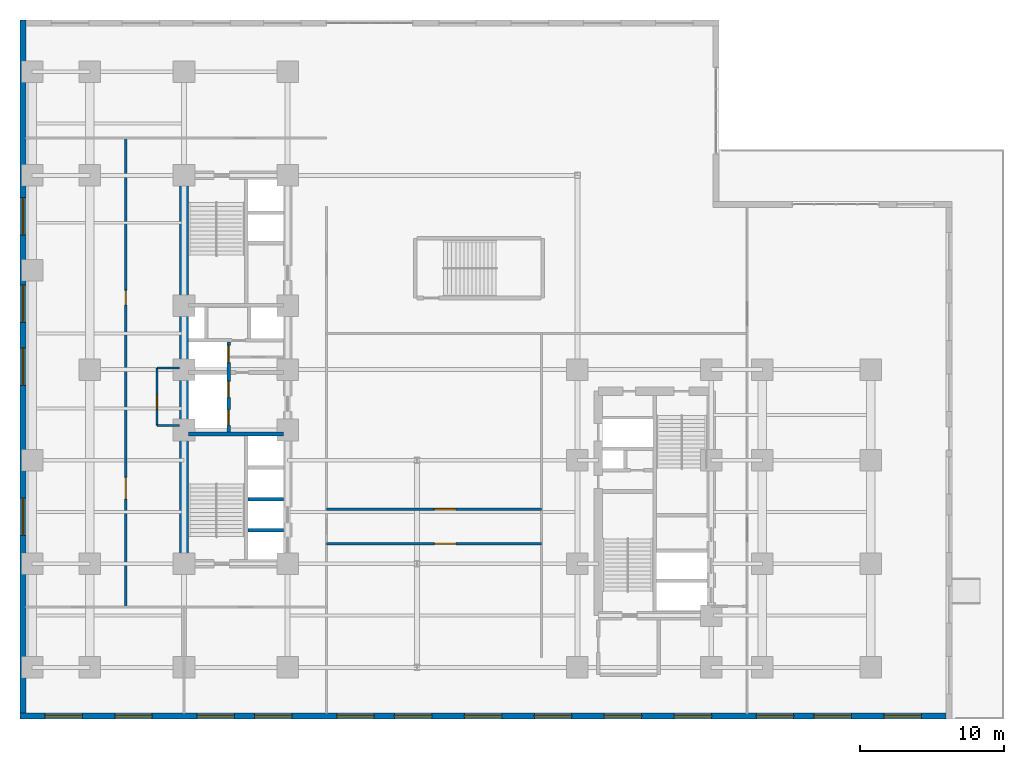
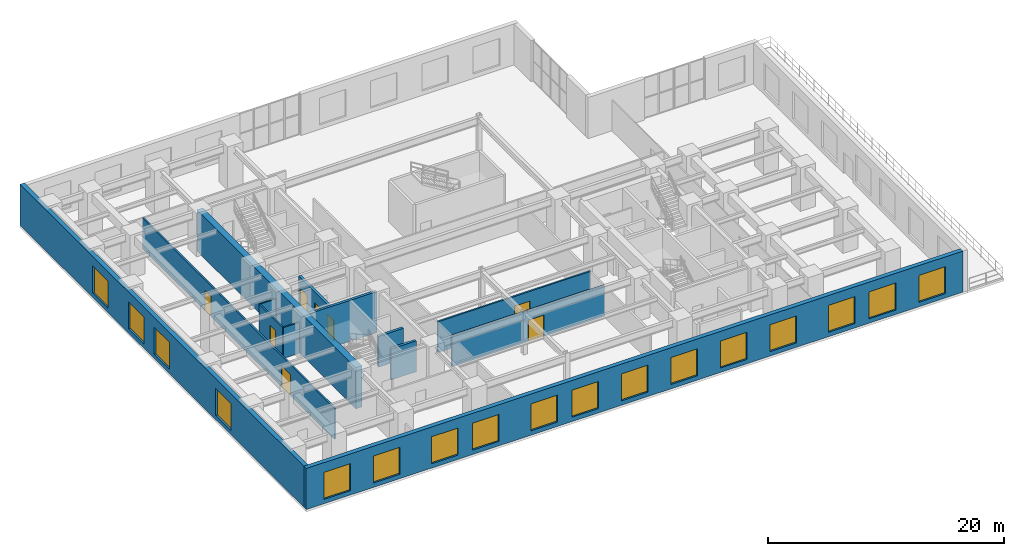
# One storey, part 8 of 15: 17 windows, 13 walls, 8 doors, 25 openings.
"""IFC4 building model written with IfcOpenShell, lengths in metres."""

from ifc_helpers import new_model, entity, si_unit, converted_unit, direction, frame, origin_with_axes, origin_2d_with_axis, place, context, subcontext, project, spatial, polyline, rectangle, outline, extrude, material, layer, layer_set, type_object, element, fill, save


model = new_model("IFC4")

# Units and contexts
model_context = context("Model", 3, precision=1e-05, world=origin_with_axes(), true_north=direction((0.0, 1.0)))
body_context = subcontext(model_context, "Body", "Model", "MODEL_VIEW")
ifc_project = project(units=[si_unit("LENGTHUNIT", "METRE"), si_unit("AREAUNIT", "SQUARE_METRE"), si_unit("VOLUMEUNIT", "CUBIC_METRE"), converted_unit("PLANEANGLEUNIT", "DEGREE", entity("IfcPlaneAngleMeasure", 0.017453292519943295), si_unit("PLANEANGLEUNIT", "RADIAN"), dimensions=[0, 0, 0, 0, 0, 0, 0]), si_unit("MASSUNIT", "GRAM", prefix="KILO"), si_unit("THERMODYNAMICTEMPERATUREUNIT", "KELVIN")], contexts=[model_context])

# Site, building, storey
site_placement = place(None, origin_with_axes())
site = spatial("IfcSite", under=ifc_project, at=site_placement, CompositionType="ELEMENT")
building_placement = place(site_placement, origin_with_axes())
building = spatial("IfcBuilding", under=site, at=building_placement, Name="Varnlund Millrace Tower", CompositionType="ELEMENT")
storey_placement = place(building_placement, frame((0.0, 0.0, 19.8), z_axis=(0.0, 0.0, 1.0), x_axis=(1.0, 0.0, 0.0)))
storey = spatial("IfcBuildingStorey", under=building, at=storey_placement, Name="L04", CompositionType="ELEMENT", Elevation=19.8)

# Wall
ifc_material_1 = material(Name="Concrete C80/95", Category="concrete")
ifc_layer_1 = layer(ifc_material_1, 0.6, Name="Concrete C80/95")
ifc_layer_set_1 = layer_set([ifc_layer_1], Name="Concrete C80/95")
wall_type_1 = type_object("IfcWallType", Name="Type-CoreWall-Shear-600-C80", PredefinedType="SHEAR", material=ifc_layer_set_1)
wall_1_placement = place(storey_placement, frame((11.4, 10.8, 0.0), z_axis=(0.0, 0.0, 1.0), x_axis=(0.0, 1.0, 0.0)))
element("IfcWall", 1, at=wall_1_placement, inside=storey, type_object=wall_type_1, Name="Type-CoreWall-Shear-600-C80", PredefinedType="SHEAR", context=body_context, shape_type="SweptSolid", body=[
    extrude(outline(polyline([(0.0, -0.3), (27.0, -0.3), (27.0, 0.3), (0.0, 0.3), (0.0, -0.3)])), origin_with_axes(), (0.0, 0.0, 1.0), 4.26),
])

# Wall, openings, windows
ifc_material_2 = material(Name="Precast concrete C50/60", Category="concrete")
ifc_layer_2 = layer(ifc_material_2, 0.42, Name="Precast concrete C50/60")
ifc_layer_set_2 = layer_set([ifc_layer_2], Name="Precast concrete C50/60")
wall_type_2 = type_object("IfcWallType", Name="Type-ExtWall-Precast-Pier-420", PredefinedType="SOLIDWALL", material=ifc_layer_set_2)
wall_2_placement = place(storey_placement, frame((64.38, 0.21, 0.0), z_axis=(0.0, 0.0, 1.0), x_axis=(-1.0, 0.0, 0.0)))
wall_2 = element("IfcWall", 2, at=wall_2_placement, inside=storey, type_object=wall_type_2, Name="Type-ExtWall-Precast-Pier-420", PredefinedType="SOLIDWALL", context=body_context, shape_type="SweptSolid", body=[
    extrude(outline(polyline([(0.0, -0.21), (64.38, -0.21), (64.38, 0.21), (0.0, 0.21), (0.0, -0.21)])), origin_with_axes(), (0.0, 0.0, 1.0), 4.26),
])
opening_1_placement = place(wall_2_placement, frame((3.03, 0.0, 0.45), z_axis=(0.0, 0.0, 1.0), x_axis=(1.0, 0.0, 0.0)))
opening_1 = element("IfcOpeningElement", 3, at=opening_1_placement, cuts=wall_2, Name="Opening L04:WN-01", PredefinedType="OPENING", context=body_context, shape_type="SweptSolid", body=[
    extrude(rectangle(XDim=2.6, YDim=0.44, at=origin_2d_with_axis()), origin_with_axes(), (0.0, 0.0, 1.0), 2.8),
])
opening_2_placement = place(wall_2_placement, frame((7.89, 0.0, 0.45), z_axis=(0.0, 0.0, 1.0), x_axis=(1.0, 0.0, 0.0)))
opening_2 = element("IfcOpeningElement", 4, at=opening_2_placement, cuts=wall_2, Name="Opening L04:WN-02", PredefinedType="OPENING", context=body_context, shape_type="SweptSolid", body=[
    extrude(rectangle(XDim=2.6, YDim=0.44, at=origin_2d_with_axis()), origin_with_axes(), (0.0, 0.0, 1.0), 2.8),
])
opening_3_placement = place(wall_2_placement, frame((11.9, 0.0, 0.45), z_axis=(0.0, 0.0, 1.0), x_axis=(1.0, 0.0, 0.0)))
opening_3 = element("IfcOpeningElement", 5, at=opening_3_placement, cuts=wall_2, Name="Opening L04:WN-03", PredefinedType="OPENING", context=body_context, shape_type="SweptSolid", body=[
    extrude(rectangle(XDim=2.6, YDim=0.44, at=origin_2d_with_axis()), origin_with_axes(), (0.0, 0.0, 1.0), 2.8),
])
opening_4_placement = place(wall_2_placement, frame((17.61, 0.0, 0.45), z_axis=(0.0, 0.0, 1.0), x_axis=(1.0, 0.0, 0.0)))
opening_4 = element("IfcOpeningElement", 6, at=opening_4_placement, cuts=wall_2, Name="Opening L04:WN-04", PredefinedType="OPENING", context=body_context, shape_type="SweptSolid", body=[
    extrude(rectangle(XDim=2.6, YDim=0.44, at=origin_2d_with_axis()), origin_with_axes(), (0.0, 0.0, 1.0), 2.8),
])
opening_5_placement = place(wall_2_placement, frame((22.47, 0.0, 0.45), z_axis=(0.0, 0.0, 1.0), x_axis=(1.0, 0.0, 0.0)))
opening_5 = element("IfcOpeningElement", 7, at=opening_5_placement, cuts=wall_2, Name="Opening L04:WN-05", PredefinedType="OPENING", context=body_context, shape_type="SweptSolid", body=[
    extrude(rectangle(XDim=2.6, YDim=0.44, at=origin_2d_with_axis()), origin_with_axes(), (0.0, 0.0, 1.0), 2.8),
])
opening_6_placement = place(wall_2_placement, frame((27.33, 0.0, 0.45), z_axis=(0.0, 0.0, 1.0), x_axis=(1.0, 0.0, 0.0)))
opening_6 = element("IfcOpeningElement", 8, at=opening_6_placement, cuts=wall_2, Name="Opening L04:WN-06", PredefinedType="OPENING", context=body_context, shape_type="SweptSolid", body=[
    extrude(rectangle(XDim=2.6, YDim=0.44, at=origin_2d_with_axis()), origin_with_axes(), (0.0, 0.0, 1.0), 2.8),
])
opening_7_placement = place(wall_2_placement, frame((32.19, 0.0, 0.45), z_axis=(0.0, 0.0, 1.0), x_axis=(1.0, 0.0, 0.0)))
opening_7 = element("IfcOpeningElement", 9, at=opening_7_placement, cuts=wall_2, Name="Opening L04:WN-07", PredefinedType="OPENING", context=body_context, shape_type="SweptSolid", body=[
    extrude(rectangle(XDim=2.6, YDim=0.44, at=origin_2d_with_axis()), origin_with_axes(), (0.0, 0.0, 1.0), 2.8),
])
opening_8_placement = place(wall_2_placement, frame((37.05, 0.0, 0.45), z_axis=(0.0, 0.0, 1.0), x_axis=(1.0, 0.0, 0.0)))
opening_8 = element("IfcOpeningElement", 10, at=opening_8_placement, cuts=wall_2, Name="Opening L04:WN-08", PredefinedType="OPENING", context=body_context, shape_type="SweptSolid", body=[
    extrude(rectangle(XDim=2.6, YDim=0.44, at=origin_2d_with_axis()), origin_with_axes(), (0.0, 0.0, 1.0), 2.8),
])
opening_9_placement = place(wall_2_placement, frame((41.06, 0.0, 0.45), z_axis=(0.0, 0.0, 1.0), x_axis=(1.0, 0.0, 0.0)))
opening_9 = element("IfcOpeningElement", 11, at=opening_9_placement, cuts=wall_2, Name="Opening L04:WN-09", PredefinedType="OPENING", context=body_context, shape_type="SweptSolid", body=[
    extrude(rectangle(XDim=2.6, YDim=0.44, at=origin_2d_with_axis()), origin_with_axes(), (0.0, 0.0, 1.0), 2.8),
])
opening_10_placement = place(wall_2_placement, frame((46.77, 0.0, 0.45), z_axis=(0.0, 0.0, 1.0), x_axis=(1.0, 0.0, 0.0)))
opening_10 = element("IfcOpeningElement", 12, at=opening_10_placement, cuts=wall_2, Name="Opening L04:WN-10", PredefinedType="OPENING", context=body_context, shape_type="SweptSolid", body=[
    extrude(rectangle(XDim=2.6, YDim=0.44, at=origin_2d_with_axis()), origin_with_axes(), (0.0, 0.0, 1.0), 2.8),
])
opening_11_placement = place(wall_2_placement, frame((50.78, 0.0, 0.45), z_axis=(0.0, 0.0, 1.0), x_axis=(1.0, 0.0, 0.0)))
opening_11 = element("IfcOpeningElement", 13, at=opening_11_placement, cuts=wall_2, Name="Opening L04:WN-11", PredefinedType="OPENING", context=body_context, shape_type="SweptSolid", body=[
    extrude(rectangle(XDim=2.6, YDim=0.44, at=origin_2d_with_axis()), origin_with_axes(), (0.0, 0.0, 1.0), 2.8),
])
opening_12_placement = place(wall_2_placement, frame((56.49, 0.0, 0.45), z_axis=(0.0, 0.0, 1.0), x_axis=(1.0, 0.0, 0.0)))
opening_12 = element("IfcOpeningElement", 14, at=opening_12_placement, cuts=wall_2, Name="Opening L04:WN-12", PredefinedType="OPENING", context=body_context, shape_type="SweptSolid", body=[
    extrude(rectangle(XDim=2.6, YDim=0.44, at=origin_2d_with_axis()), origin_with_axes(), (0.0, 0.0, 1.0), 2.8),
])
opening_13_placement = place(wall_2_placement, frame((61.35, 0.0, 0.45), z_axis=(0.0, 0.0, 1.0), x_axis=(1.0, 0.0, 0.0)))
opening_13 = element("IfcOpeningElement", 15, at=opening_13_placement, cuts=wall_2, Name="Opening L04:WN-13", PredefinedType="OPENING", context=body_context, shape_type="SweptSolid", body=[
    extrude(rectangle(XDim=2.6, YDim=0.44, at=origin_2d_with_axis()), origin_with_axes(), (0.0, 0.0, 1.0), 2.8),
])
ifc_material_3 = material(Name="Argon low-e triple glazing in thermally broken bronze frame", Category="glass")
window_type = type_object("IfcWindowType", Name="Type-Window-Podium-2600X2800", PartitioningType="SINGLE_PANEL", PredefinedType="WINDOW", material=ifc_material_3)
window_1_placement = place(wall_2_placement, frame((3.03, 0.0, 0.45), z_axis=(0.0, 0.0, 1.0), x_axis=(1.0, 0.0, 0.0)))
window_1 = element("IfcWindow", 16, at=window_1_placement, inside=storey, type_object=window_type, Name="Type-Window-Podium-2600X2800", OverallHeight=2.8, OverallWidth=2.6, PredefinedType="WINDOW", context=body_context, shape_type="SweptSolid", body=[
    extrude(rectangle(XDim=2.6, YDim=0.09, at=origin_2d_with_axis()), origin_with_axes(), (0.0, 0.0, 1.0), 2.8),
])
fill(opening_1, window_1)
window_2_placement = place(wall_2_placement, frame((7.89, 0.0, 0.45), z_axis=(0.0, 0.0, 1.0), x_axis=(1.0, 0.0, 0.0)))
window_2 = element("IfcWindow", 17, at=window_2_placement, inside=storey, type_object=window_type, Name="Type-Window-Podium-2600X2800", OverallHeight=2.8, OverallWidth=2.6, PredefinedType="WINDOW", context=body_context, shape_type="SweptSolid", body=[
    extrude(rectangle(XDim=2.6, YDim=0.09, at=origin_2d_with_axis()), origin_with_axes(), (0.0, 0.0, 1.0), 2.8),
])
fill(opening_2, window_2)
window_3_placement = place(wall_2_placement, frame((11.9, 0.0, 0.45), z_axis=(0.0, 0.0, 1.0), x_axis=(1.0, 0.0, 0.0)))
window_3 = element("IfcWindow", 18, at=window_3_placement, inside=storey, type_object=window_type, Name="Type-Window-Podium-2600X2800", OverallHeight=2.8, OverallWidth=2.6, PredefinedType="WINDOW", context=body_context, shape_type="SweptSolid", body=[
    extrude(rectangle(XDim=2.6, YDim=0.09, at=origin_2d_with_axis()), origin_with_axes(), (0.0, 0.0, 1.0), 2.8),
])
fill(opening_3, window_3)
window_4_placement = place(wall_2_placement, frame((17.61, 0.0, 0.45), z_axis=(0.0, 0.0, 1.0), x_axis=(1.0, 0.0, 0.0)))
window_4 = element("IfcWindow", 19, at=window_4_placement, inside=storey, type_object=window_type, Name="Type-Window-Podium-2600X2800", OverallHeight=2.8, OverallWidth=2.6, PredefinedType="WINDOW", context=body_context, shape_type="SweptSolid", body=[
    extrude(rectangle(XDim=2.6, YDim=0.09, at=origin_2d_with_axis()), origin_with_axes(), (0.0, 0.0, 1.0), 2.8),
])
fill(opening_4, window_4)
window_5_placement = place(wall_2_placement, frame((22.47, 0.0, 0.45), z_axis=(0.0, 0.0, 1.0), x_axis=(1.0, 0.0, 0.0)))
window_5 = element("IfcWindow", 20, at=window_5_placement, inside=storey, type_object=window_type, Name="Type-Window-Podium-2600X2800", OverallHeight=2.8, OverallWidth=2.6, PredefinedType="WINDOW", context=body_context, shape_type="SweptSolid", body=[
    extrude(rectangle(XDim=2.6, YDim=0.09, at=origin_2d_with_axis()), origin_with_axes(), (0.0, 0.0, 1.0), 2.8),
])
fill(opening_5, window_5)
window_6_placement = place(wall_2_placement, frame((27.33, 0.0, 0.45), z_axis=(0.0, 0.0, 1.0), x_axis=(1.0, 0.0, 0.0)))
window_6 = element("IfcWindow", 21, at=window_6_placement, inside=storey, type_object=window_type, Name="Type-Window-Podium-2600X2800", OverallHeight=2.8, OverallWidth=2.6, PredefinedType="WINDOW", context=body_context, shape_type="SweptSolid", body=[
    extrude(rectangle(XDim=2.6, YDim=0.09, at=origin_2d_with_axis()), origin_with_axes(), (0.0, 0.0, 1.0), 2.8),
])
fill(opening_6, window_6)
window_7_placement = place(wall_2_placement, frame((32.19, 0.0, 0.45), z_axis=(0.0, 0.0, 1.0), x_axis=(1.0, 0.0, 0.0)))
window_7 = element("IfcWindow", 22, at=window_7_placement, inside=storey, type_object=window_type, Name="Type-Window-Podium-2600X2800", OverallHeight=2.8, OverallWidth=2.6, PredefinedType="WINDOW", context=body_context, shape_type="SweptSolid", body=[
    extrude(rectangle(XDim=2.6, YDim=0.09, at=origin_2d_with_axis()), origin_with_axes(), (0.0, 0.0, 1.0), 2.8),
])
fill(opening_7, window_7)
window_8_placement = place(wall_2_placement, frame((37.05, 0.0, 0.45), z_axis=(0.0, 0.0, 1.0), x_axis=(1.0, 0.0, 0.0)))
window_8 = element("IfcWindow", 23, at=window_8_placement, inside=storey, type_object=window_type, Name="Type-Window-Podium-2600X2800", OverallHeight=2.8, OverallWidth=2.6, PredefinedType="WINDOW", context=body_context, shape_type="SweptSolid", body=[
    extrude(rectangle(XDim=2.6, YDim=0.09, at=origin_2d_with_axis()), origin_with_axes(), (0.0, 0.0, 1.0), 2.8),
])
fill(opening_8, window_8)
window_9_placement = place(wall_2_placement, frame((41.06, 0.0, 0.45), z_axis=(0.0, 0.0, 1.0), x_axis=(1.0, 0.0, 0.0)))
window_9 = element("IfcWindow", 24, at=window_9_placement, inside=storey, type_object=window_type, Name="Type-Window-Podium-2600X2800", OverallHeight=2.8, OverallWidth=2.6, PredefinedType="WINDOW", context=body_context, shape_type="SweptSolid", body=[
    extrude(rectangle(XDim=2.6, YDim=0.09, at=origin_2d_with_axis()), origin_with_axes(), (0.0, 0.0, 1.0), 2.8),
])
fill(opening_9, window_9)
window_10_placement = place(wall_2_placement, frame((46.77, 0.0, 0.45), z_axis=(0.0, 0.0, 1.0), x_axis=(1.0, 0.0, 0.0)))
window_10 = element("IfcWindow", 25, at=window_10_placement, inside=storey, type_object=window_type, Name="Type-Window-Podium-2600X2800", OverallHeight=2.8, OverallWidth=2.6, PredefinedType="WINDOW", context=body_context, shape_type="SweptSolid", body=[
    extrude(rectangle(XDim=2.6, YDim=0.09, at=origin_2d_with_axis()), origin_with_axes(), (0.0, 0.0, 1.0), 2.8),
])
fill(opening_10, window_10)
window_11_placement = place(wall_2_placement, frame((50.78, 0.0, 0.45), z_axis=(0.0, 0.0, 1.0), x_axis=(1.0, 0.0, 0.0)))
window_11 = element("IfcWindow", 26, at=window_11_placement, inside=storey, type_object=window_type, Name="Type-Window-Podium-2600X2800", OverallHeight=2.8, OverallWidth=2.6, PredefinedType="WINDOW", context=body_context, shape_type="SweptSolid", body=[
    extrude(rectangle(XDim=2.6, YDim=0.09, at=origin_2d_with_axis()), origin_with_axes(), (0.0, 0.0, 1.0), 2.8),
])
fill(opening_11, window_11)
window_12_placement = place(wall_2_placement, frame((56.49, 0.0, 0.45), z_axis=(0.0, 0.0, 1.0), x_axis=(1.0, 0.0, 0.0)))
window_12 = element("IfcWindow", 27, at=window_12_placement, inside=storey, type_object=window_type, Name="Type-Window-Podium-2600X2800", OverallHeight=2.8, OverallWidth=2.6, PredefinedType="WINDOW", context=body_context, shape_type="SweptSolid", body=[
    extrude(rectangle(XDim=2.6, YDim=0.09, at=origin_2d_with_axis()), origin_with_axes(), (0.0, 0.0, 1.0), 2.8),
])
fill(opening_12, window_12)
window_13_placement = place(wall_2_placement, frame((61.35, 0.0, 0.45), z_axis=(0.0, 0.0, 1.0), x_axis=(1.0, 0.0, 0.0)))
window_13 = element("IfcWindow", 28, at=window_13_placement, inside=storey, type_object=window_type, Name="Type-Window-Podium-2600X2800", OverallHeight=2.8, OverallWidth=2.6, PredefinedType="WINDOW", context=body_context, shape_type="SweptSolid", body=[
    extrude(rectangle(XDim=2.6, YDim=0.09, at=origin_2d_with_axis()), origin_with_axes(), (0.0, 0.0, 1.0), 2.8),
])
fill(opening_13, window_13)

wall_3_placement = place(storey_placement, frame((0.21, 0.42, 0.0), z_axis=(0.0, 0.0, 1.0), x_axis=(0.0, 1.0, 0.0)))
wall_3 = element("IfcWall", 29, at=wall_3_placement, inside=storey, type_object=wall_type_2, Name="Type-ExtWall-Precast-Pier-420", PredefinedType="SOLIDWALL", context=body_context, shape_type="SweptSolid", body=[
    extrude(outline(polyline([(0.0, -0.21), (48.18, -0.21), (48.18, 0.21), (0.0, 0.21), (0.0, -0.21)])), origin_with_axes(), (0.0, 0.0, 1.0), 4.26),
])
opening_14_placement = place(wall_3_placement, frame((13.65, 0.0, 0.45), z_axis=(0.0, 0.0, 1.0), x_axis=(1.0, 0.0, 0.0)))
opening_14 = element("IfcOpeningElement", 30, at=opening_14_placement, cuts=wall_3, Name="Opening L04:WN-14", PredefinedType="OPENING", context=body_context, shape_type="SweptSolid", body=[
    extrude(rectangle(XDim=2.6, YDim=0.44, at=origin_2d_with_axis()), origin_with_axes(), (0.0, 0.0, 1.0), 2.8),
])
opening_15_placement = place(wall_3_placement, frame((24.09, 0.0, 0.45), z_axis=(0.0, 0.0, 1.0), x_axis=(1.0, 0.0, 0.0)))
opening_15 = element("IfcOpeningElement", 31, at=opening_15_placement, cuts=wall_3, Name="Opening L04:WN-15", PredefinedType="OPENING", context=body_context, shape_type="SweptSolid", body=[
    extrude(rectangle(XDim=2.6, YDim=0.44, at=origin_2d_with_axis()), origin_with_axes(), (0.0, 0.0, 1.0), 2.8),
])
opening_16_placement = place(wall_3_placement, frame((28.46, 0.0, 0.45), z_axis=(0.0, 0.0, 1.0), x_axis=(1.0, 0.0, 0.0)))
opening_16 = element("IfcOpeningElement", 32, at=opening_16_placement, cuts=wall_3, Name="Opening L04:WN-16", PredefinedType="OPENING", context=body_context, shape_type="SweptSolid", body=[
    extrude(rectangle(XDim=2.6, YDim=0.44, at=origin_2d_with_axis()), origin_with_axes(), (0.0, 0.0, 1.0), 2.8),
])
opening_17_placement = place(wall_3_placement, frame((34.53, 0.0, 0.45), z_axis=(0.0, 0.0, 1.0), x_axis=(1.0, 0.0, 0.0)))
opening_17 = element("IfcOpeningElement", 33, at=opening_17_placement, cuts=wall_3, Name="Opening L04:WN-17", PredefinedType="OPENING", context=body_context, shape_type="SweptSolid", body=[
    extrude(rectangle(XDim=2.6, YDim=0.44, at=origin_2d_with_axis()), origin_with_axes(), (0.0, 0.0, 1.0), 2.8),
])
window_14_placement = place(wall_3_placement, frame((13.65, 0.0, 0.45), z_axis=(0.0, 0.0, 1.0), x_axis=(1.0, 0.0, 0.0)))
window_14 = element("IfcWindow", 34, at=window_14_placement, inside=storey, type_object=window_type, Name="Type-Window-Podium-2600X2800", OverallHeight=2.8, OverallWidth=2.6, PredefinedType="WINDOW", context=body_context, shape_type="SweptSolid", body=[
    extrude(rectangle(XDim=2.6, YDim=0.09, at=origin_2d_with_axis()), origin_with_axes(), (0.0, 0.0, 1.0), 2.8),
])
fill(opening_14, window_14)
window_15_placement = place(wall_3_placement, frame((24.09, 0.0, 0.45), z_axis=(0.0, 0.0, 1.0), x_axis=(1.0, 0.0, 0.0)))
window_15 = element("IfcWindow", 35, at=window_15_placement, inside=storey, type_object=window_type, Name="Type-Window-Podium-2600X2800", OverallHeight=2.8, OverallWidth=2.6, PredefinedType="WINDOW", context=body_context, shape_type="SweptSolid", body=[
    extrude(rectangle(XDim=2.6, YDim=0.09, at=origin_2d_with_axis()), origin_with_axes(), (0.0, 0.0, 1.0), 2.8),
])
fill(opening_15, window_15)
window_16_placement = place(wall_3_placement, frame((28.46, 0.0, 0.45), z_axis=(0.0, 0.0, 1.0), x_axis=(1.0, 0.0, 0.0)))
window_16 = element("IfcWindow", 36, at=window_16_placement, inside=storey, type_object=window_type, Name="Type-Window-Podium-2600X2800", OverallHeight=2.8, OverallWidth=2.6, PredefinedType="WINDOW", context=body_context, shape_type="SweptSolid", body=[
    extrude(rectangle(XDim=2.6, YDim=0.09, at=origin_2d_with_axis()), origin_with_axes(), (0.0, 0.0, 1.0), 2.8),
])
fill(opening_16, window_16)
window_17_placement = place(wall_3_placement, frame((34.53, 0.0, 0.45), z_axis=(0.0, 0.0, 1.0), x_axis=(1.0, 0.0, 0.0)))
window_17 = element("IfcWindow", 37, at=window_17_placement, inside=storey, type_object=window_type, Name="Type-Window-Podium-2600X2800", OverallHeight=2.8, OverallWidth=2.6, PredefinedType="WINDOW", context=body_context, shape_type="SweptSolid", body=[
    extrude(rectangle(XDim=2.6, YDim=0.09, at=origin_2d_with_axis()), origin_with_axes(), (0.0, 0.0, 1.0), 2.8),
])
fill(opening_17, window_17)

# Wall, openings, doors
ifc_material_4 = material(Name="Fire-rated gypsum board on cold-formed steel framing", Category="steel")
ifc_layer_3 = layer(ifc_material_4, 0.16, Name="Fire-rated gypsum board on cold-formed steel framing")
ifc_layer_set_3 = layer_set([ifc_layer_3], Name="Fire-rated gypsum board on cold-formed steel framing")
wall_type_3 = type_object("IfcWallType", Name="Type-Partition-Corridor-160", PredefinedType="PARTITIONING", material=ifc_layer_set_3)
wall_4_placement = place(storey_placement, frame((7.35, 7.8, 0.0), z_axis=(0.0, 0.0, 1.0), x_axis=(0.0, 1.0, 0.0)))
wall_4 = element("IfcWall", 38, at=wall_4_placement, inside=storey, type_object=wall_type_3, Name="Type-Partition-Corridor-160", PredefinedType="PARTITIONING", context=body_context, shape_type="SweptSolid", body=[
    extrude(outline(polyline([(0.0, -0.08), (32.6, -0.08), (32.6, 0.08), (0.0, 0.08), (0.0, -0.08)])), origin_with_axes(), (0.0, 0.0, 1.0), 3.2),
])
opening_18_placement = place(wall_4_placement, frame((8.25, 0.0, 0.0), z_axis=(0.0, 0.0, 1.0), x_axis=(1.0, 0.0, 0.0)))
opening_18 = element("IfcOpeningElement", 39, at=opening_18_placement, cuts=wall_4, Name="Opening L04:DR-POD-W1", PredefinedType="OPENING", context=body_context, shape_type="SweptSolid", body=[
    extrude(rectangle(XDim=1.5, YDim=0.18, at=origin_2d_with_axis()), origin_with_axes(), (0.0, 0.0, 1.0), 2.2),
])
opening_19_placement = place(wall_4_placement, frame((21.5, 0.0, 0.0), z_axis=(0.0, 0.0, 1.0), x_axis=(1.0, 0.0, 0.0)))
opening_19 = element("IfcOpeningElement", 40, at=opening_19_placement, cuts=wall_4, Name="Opening L04:DR-POD-W2", PredefinedType="OPENING", context=body_context, shape_type="SweptSolid", body=[
    extrude(rectangle(XDim=1.0, YDim=0.18, at=origin_2d_with_axis()), origin_with_axes(), (0.0, 0.0, 1.0), 2.15),
])
ifc_material_5 = material(Name="Solid-core white oak and bronze frame door")
door_type_1 = type_object("IfcDoorType", Name="Type-IntDoor-Office-1000X2150", OperationType="NOTDEFINED", PredefinedType="DOOR", material=ifc_material_5)
door_1_placement = place(wall_4_placement, frame((21.5, 0.0, 0.0), z_axis=(0.0, 0.0, 1.0), x_axis=(1.0, 0.0, 0.0)))
door_1 = element("IfcDoor", 41, at=door_1_placement, inside=storey, type_object=door_type_1, Name="Type-IntDoor-Office-1000X2150", OperationType="SINGLE_SWING_LEFT", OverallHeight=2.15, OverallWidth=1.0, PredefinedType="DOOR", context=body_context, shape_type="SweptSolid", body=[
    extrude(rectangle(XDim=1.0, YDim=0.09, at=origin_2d_with_axis()), origin_with_axes(), (0.0, 0.0, 1.0), 2.15),
])
fill(opening_19, door_1)
ifc_material_6 = material(Name="Architectural bronze and acoustic glass double door", Category="glass")
door_type_2 = type_object("IfcDoorType", Name="Type-IntDoor-SuitePair-1500X2200", OperationType="NOTDEFINED", PredefinedType="DOOR", material=ifc_material_6)
door_2_placement = place(wall_4_placement, frame((8.25, 0.0, 0.0), z_axis=(0.0, 0.0, 1.0), x_axis=(1.0, 0.0, 0.0)))
door_2 = element("IfcDoor", 42, at=door_2_placement, inside=storey, type_object=door_type_2, Name="Type-IntDoor-SuitePair-1500X2200", OperationType="DOUBLE_DOOR_SINGLE_SWING", OverallHeight=2.2, OverallWidth=1.5, PredefinedType="DOOR", context=body_context, shape_type="SweptSolid", body=[
    extrude(rectangle(XDim=1.5, YDim=0.09, at=origin_2d_with_axis()), origin_with_axes(), (0.0, 0.0, 1.0), 2.2),
])
fill(opening_18, door_2)

# Wall, opening, door
wall_5_placement = place(storey_placement, frame((21.3, 12.2, 0.0), z_axis=(0.0, 0.0, 1.0), x_axis=(1.0, 0.0, 0.0)))
wall_5 = element("IfcWall", 43, at=wall_5_placement, inside=storey, type_object=wall_type_3, Name="Type-Partition-Corridor-160", PredefinedType="PARTITIONING", context=body_context, shape_type="SweptSolid", body=[
    extrude(outline(polyline([(0.0, -0.08), (14.95, -0.08), (14.95, 0.08), (0.0, 0.08), (0.0, -0.08)])), origin_with_axes(), (0.0, 0.0, 1.0), 3.2),
])
opening_20_placement = place(wall_5_placement, frame((8.25, 0.0, 0.0), z_axis=(0.0, 0.0, 1.0), x_axis=(1.0, 0.0, 0.0)))
opening_20 = element("IfcOpeningElement", 44, at=opening_20_placement, cuts=wall_5, Name="Opening L04:DR-POD-E1S", PredefinedType="OPENING", context=body_context, shape_type="SweptSolid", body=[
    extrude(rectangle(XDim=1.5, YDim=0.18, at=origin_2d_with_axis()), origin_with_axes(), (0.0, 0.0, 1.0), 2.2),
])
door_3_placement = place(wall_5_placement, frame((8.25, 0.0, 0.0), z_axis=(0.0, 0.0, 1.0), x_axis=(1.0, 0.0, 0.0)))
door_3 = element("IfcDoor", 45, at=door_3_placement, inside=storey, type_object=door_type_2, Name="Type-IntDoor-SuitePair-1500X2200", OperationType="DOUBLE_DOOR_SINGLE_SWING", OverallHeight=2.2, OverallWidth=1.5, PredefinedType="DOOR", context=body_context, shape_type="SweptSolid", body=[
    extrude(rectangle(XDim=1.5, YDim=0.09, at=origin_2d_with_axis()), origin_with_axes(), (0.0, 0.0, 1.0), 2.2),
])
fill(opening_20, door_3)

wall_6_placement = place(storey_placement, frame((21.3, 14.6, 0.0), z_axis=(0.0, 0.0, 1.0), x_axis=(1.0, 0.0, 0.0)))
wall_6 = element("IfcWall", 46, at=wall_6_placement, inside=storey, type_object=wall_type_3, Name="Type-Partition-Corridor-160", PredefinedType="PARTITIONING", context=body_context, shape_type="SweptSolid", body=[
    extrude(outline(polyline([(0.0, -0.08), (14.95, -0.08), (14.95, 0.08), (0.0, 0.08), (0.0, -0.08)])), origin_with_axes(), (0.0, 0.0, 1.0), 3.2),
])
opening_21_placement = place(wall_6_placement, frame((8.25, 0.0, 0.0), z_axis=(0.0, 0.0, 1.0), x_axis=(1.0, 0.0, 0.0)))
opening_21 = element("IfcOpeningElement", 47, at=opening_21_placement, cuts=wall_6, Name="Opening L04:DR-POD-E1N", PredefinedType="OPENING", context=body_context, shape_type="SweptSolid", body=[
    extrude(rectangle(XDim=1.5, YDim=0.18, at=origin_2d_with_axis()), origin_with_axes(), (0.0, 0.0, 1.0), 2.2),
])
door_4_placement = place(wall_6_placement, frame((8.25, 0.0, 0.0), z_axis=(0.0, 0.0, 1.0), x_axis=(1.0, 0.0, 0.0)))
door_4 = element("IfcDoor", 48, at=door_4_placement, inside=storey, type_object=door_type_2, Name="Type-IntDoor-SuitePair-1500X2200", OperationType="DOUBLE_DOOR_SINGLE_SWING", OverallHeight=2.2, OverallWidth=1.5, PredefinedType="DOOR", context=body_context, shape_type="SweptSolid", body=[
    extrude(rectangle(XDim=1.5, YDim=0.09, at=origin_2d_with_axis()), origin_with_axes(), (0.0, 0.0, 1.0), 2.2),
])
fill(opening_21, door_4)

ifc_material_7 = material(Name="Moisture-resistant gypsum restroom partition", Category="gypsum")
ifc_layer_4 = layer(ifc_material_7, 0.14, Name="Moisture-resistant gypsum restroom partition")
ifc_layer_set_4 = layer_set([ifc_layer_4], Name="Moisture-resistant gypsum restroom partition")
wall_type_4 = type_object("IfcWallType", Name="Type-Partition-Wet-140", PredefinedType="PARTITIONING", material=ifc_layer_set_4)
wall_7_placement = place(storey_placement, frame((9.52, 20.4, 0.0), z_axis=(0.0, 0.0, 1.0), x_axis=(0.0, 1.0, 0.0)))
wall_7 = element("IfcWall", 49, at=wall_7_placement, inside=storey, type_object=wall_type_4, Name="Type-Partition-Wet-140", PredefinedType="PARTITIONING", context=body_context, shape_type="SweptSolid", body=[
    extrude(outline(polyline([(0.0, -0.07), (4.0, -0.07), (4.0, 0.07), (0.0, 0.07), (0.0, -0.07)])), origin_with_axes(), (0.0, 0.0, 1.0), 3.2),
])
opening_22_placement = place(wall_7_placement, frame((1.625, 0.0, 0.0), z_axis=(0.0, 0.0, 1.0), x_axis=(1.0, 0.0, 0.0)))
opening_22 = element("IfcOpeningElement", 50, at=opening_22_placement, cuts=wall_7, Name="Opening L04:DR-CA-WCW", PredefinedType="OPENING", context=body_context, shape_type="SweptSolid", body=[
    extrude(rectangle(XDim=0.95, YDim=0.16, at=origin_2d_with_axis()), origin_with_axes(), (0.0, 0.0, 1.0), 2.15),
])
ifc_material_8 = material(Name="Solid-core acoustic office door")
door_type_3 = type_object("IfcDoorType", Name="Type-IntDoor-Tenant-950X2150", OperationType="NOTDEFINED", PredefinedType="DOOR", material=ifc_material_8)
door_5_placement = place(wall_7_placement, frame((1.625, 0.0, 0.0), z_axis=(0.0, 0.0, 1.0), x_axis=(1.0, 0.0, 0.0)))
door_5 = element("IfcDoor", 51, at=door_5_placement, inside=storey, type_object=door_type_3, Name="Type-IntDoor-Tenant-950X2150", OperationType="SINGLE_SWING_LEFT", OverallHeight=2.15, OverallWidth=0.95, PredefinedType="DOOR", context=body_context, shape_type="SweptSolid", body=[
    extrude(rectangle(XDim=0.95, YDim=0.084, at=origin_2d_with_axis()), origin_with_axes(), (0.0, 0.0, 1.0), 2.15),
])
fill(opening_22, door_5)

# Walls
for number, where, z_axis, x_axis, name in (
    (52, (9.52, 20.4, 0.0), (0.0, 0.0, 1.0), (1.0, 0.0, 0.0), "Type-Partition-Wet-140"),
    (53, (9.52, 24.4, 0.0), (0.0, 0.0, 1.0), (1.0, 0.0, 0.0), "Type-Partition-Wet-140"),
):
    element("IfcWall", number, at=place(storey_placement, frame(where, z_axis=z_axis, x_axis=x_axis)), inside=storey, type_object=wall_type_4, Name=name, PredefinedType="PARTITIONING", context=body_context, shape_type="SweptSolid", body=[
        extrude(outline(polyline([(0.0, -0.07), (1.58, -0.07), (1.58, 0.07), (0.0, 0.07), (0.0, -0.07)])), origin_with_axes(), (0.0, 0.0, 1.0), 3.2),
    ])

# Wall, openings, doors
ifc_material_9 = material(Name="Concrete C60/75", Category="concrete")
ifc_layer_5 = layer(ifc_material_9, 0.25, Name="Concrete C60/75")
ifc_layer_set_5 = layer_set([ifc_layer_5], Name="Concrete C60/75")
wall_type_5 = type_object("IfcWallType", Name="Type-ShaftWall-Fire-250", PredefinedType="SOLIDWALL", material=ifc_layer_set_5)
wall_8_placement = place(storey_placement, frame((14.5, 19.95, 0.0), z_axis=(0.0, 0.0, 1.0), x_axis=(0.0, 1.0, 0.0)))
wall_8 = element("IfcWall", 54, at=wall_8_placement, inside=storey, type_object=wall_type_5, Name="Type-ShaftWall-Fire-250", PredefinedType="SOLIDWALL", context=body_context, shape_type="SweptSolid", body=[
    extrude(outline(polyline([(0.0, -0.125), (6.25, -0.125), (6.25, 0.125), (0.0, 0.125), (0.0, -0.125)])), origin_with_axes(), (0.0, 0.0, 1.0), 3.3),
])
opening_23_placement = place(wall_8_placement, frame((1.025, 0.0, 0.0), z_axis=(0.0, 0.0, 1.0), x_axis=(1.0, 0.0, 0.0)))
opening_23 = element("IfcOpeningElement", 55, at=opening_23_placement, cuts=wall_8, Name="Opening L04:LD-FSAE1", PredefinedType="OPENING", context=body_context, shape_type="SweptSolid", body=[
    extrude(rectangle(XDim=1.1, YDim=0.27, at=origin_2d_with_axis()), origin_with_axes(), (0.0, 0.0, 1.0), 2.15),
])
opening_24_placement = place(wall_8_placement, frame((2.975, 0.0, 0.0), z_axis=(0.0, 0.0, 1.0), x_axis=(1.0, 0.0, 0.0)))
opening_24 = element("IfcOpeningElement", 56, at=opening_24_placement, cuts=wall_8, Name="Opening L04:LD-FSAE2", PredefinedType="OPENING", context=body_context, shape_type="SweptSolid", body=[
    extrude(rectangle(XDim=1.1, YDim=0.27, at=origin_2d_with_axis()), origin_with_axes(), (0.0, 0.0, 1.0), 2.15),
])
opening_25_placement = place(wall_8_placement, frame((5.425, 0.0, 0.0), z_axis=(0.0, 0.0, 1.0), x_axis=(1.0, 0.0, 0.0)))
opening_25 = element("IfcOpeningElement", 57, at=opening_25_placement, cuts=wall_8, Name="Opening L04:LD-SRV1", PredefinedType="OPENING", context=body_context, shape_type="SweptSolid", body=[
    extrude(rectangle(XDim=1.2, YDim=0.27, at=origin_2d_with_axis()), origin_with_axes(), (0.0, 0.0, 1.0), 2.15),
])
ifc_material_10 = material(Name="Stainless and architectural bronze sliding landing door")
door_type_4 = type_object("IfcDoorType", Name="Type-LiftLandingDoor-1100X2150", OperationType="NOTDEFINED", PredefinedType="DOOR", material=ifc_material_10)
door_6_placement = place(wall_8_placement, frame((1.025, 0.0, 0.0), z_axis=(0.0, 0.0, 1.0), x_axis=(1.0, 0.0, 0.0)))
door_6 = element("IfcDoor", 58, at=door_6_placement, inside=storey, type_object=door_type_4, Name="Type-LiftLandingDoor-1100X2150", OperationType="SLIDING_TO_LEFT", OverallHeight=2.15, OverallWidth=1.1, PredefinedType="DOOR", context=body_context, shape_type="SweptSolid", body=[
    extrude(rectangle(XDim=1.1, YDim=0.09, at=origin_2d_with_axis()), origin_with_axes(), (0.0, 0.0, 1.0), 2.15),
])
fill(opening_23, door_6)
door_7_placement = place(wall_8_placement, frame((2.975, 0.0, 0.0), z_axis=(0.0, 0.0, 1.0), x_axis=(1.0, 0.0, 0.0)))
door_7 = element("IfcDoor", 59, at=door_7_placement, inside=storey, type_object=door_type_4, Name="Type-LiftLandingDoor-1100X2150", OperationType="SLIDING_TO_RIGHT", OverallHeight=2.15, OverallWidth=1.1, PredefinedType="DOOR", context=body_context, shape_type="SweptSolid", body=[
    extrude(rectangle(XDim=1.1, YDim=0.09, at=origin_2d_with_axis()), origin_with_axes(), (0.0, 0.0, 1.0), 2.15),
])
fill(opening_24, door_7)
ifc_material_11 = material(Name="Heavy-duty freight sliding landing door")
door_type_5 = type_object("IfcDoorType", Name="Type-LiftLandingDoor-Service-1200X2150", OperationType="NOTDEFINED", PredefinedType="DOOR", material=ifc_material_11)
door_8_placement = place(wall_8_placement, frame((5.425, 0.0, 0.0), z_axis=(0.0, 0.0, 1.0), x_axis=(1.0, 0.0, 0.0)))
door_8 = element("IfcDoor", 60, at=door_8_placement, inside=storey, type_object=door_type_5, Name="Type-LiftLandingDoor-Service-1200X2150", OperationType="DOUBLE_DOOR_SLIDING", OverallHeight=2.15, OverallWidth=1.2, PredefinedType="DOOR", context=body_context, shape_type="SweptSolid", body=[
    extrude(rectangle(XDim=1.2, YDim=0.09, at=origin_2d_with_axis()), origin_with_axes(), (0.0, 0.0, 1.0), 2.15),
])
fill(opening_25, door_8)

# Walls
for number, where, z_axis, x_axis, name in (
    (61, (15.84, 13.13, 0.0), (0.0, 0.0, 1.0), (1.0, 0.0, 0.0), "Type-ShaftWall-Fire-250"),
    (62, (15.84, 15.29, 0.0), (0.0, 0.0, 1.0), (1.0, 0.0, 0.0), "Type-ShaftWall-Fire-250"),
):
    element("IfcWall", number, at=place(storey_placement, frame(where, z_axis=z_axis, x_axis=x_axis)), inside=storey, type_object=wall_type_5, Name=name, PredefinedType="SOLIDWALL", context=body_context, shape_type="SweptSolid", body=[
        extrude(outline(polyline([(0.0, -0.125), (2.46, -0.125), (2.46, 0.125), (0.0, 0.125), (0.0, -0.125)])), origin_with_axes(), (0.0, 0.0, 1.0), 3.2),
    ])
wall_type_6 = type_object("IfcWallType", Name="Type-StairWall-Shear-250", PredefinedType="SHEAR", material=ifc_layer_set_5)
wall_9_placement = place(storey_placement, frame((11.7, 19.825, 0.0), z_axis=(0.0, 0.0, 1.0), x_axis=(1.0, 0.0, 0.0)))
element("IfcWall", 63, at=wall_9_placement, inside=storey, type_object=wall_type_6, Name="Type-StairWall-Shear-250", PredefinedType="SHEAR", context=body_context, shape_type="SweptSolid", body=[
    extrude(outline(polyline([(0.0, -0.125), (6.6, -0.125), (6.6, 0.125), (0.0, 0.125), (0.0, -0.125)])), origin_with_axes(), (0.0, 0.0, 1.0), 4.26),
])

save(model, "model.ifc")
